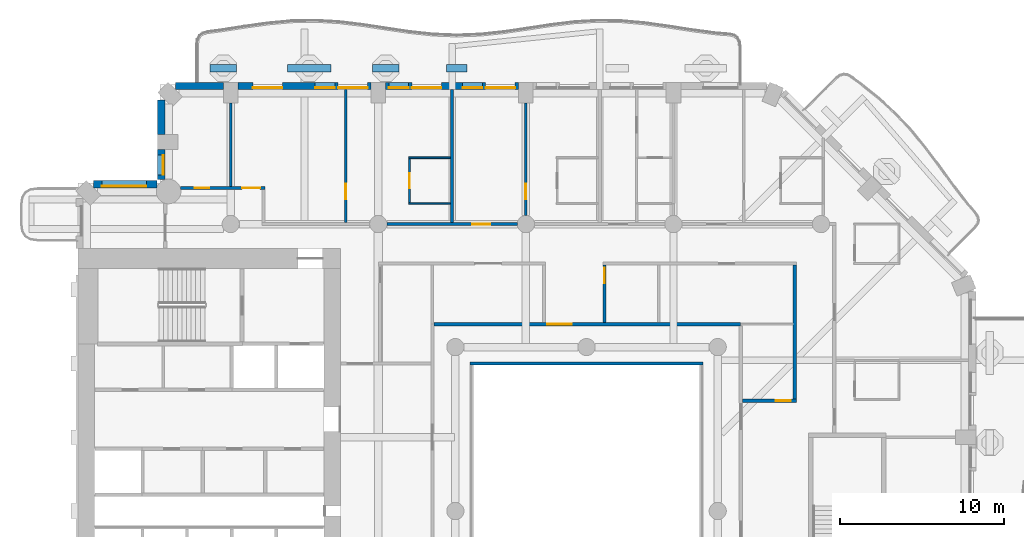
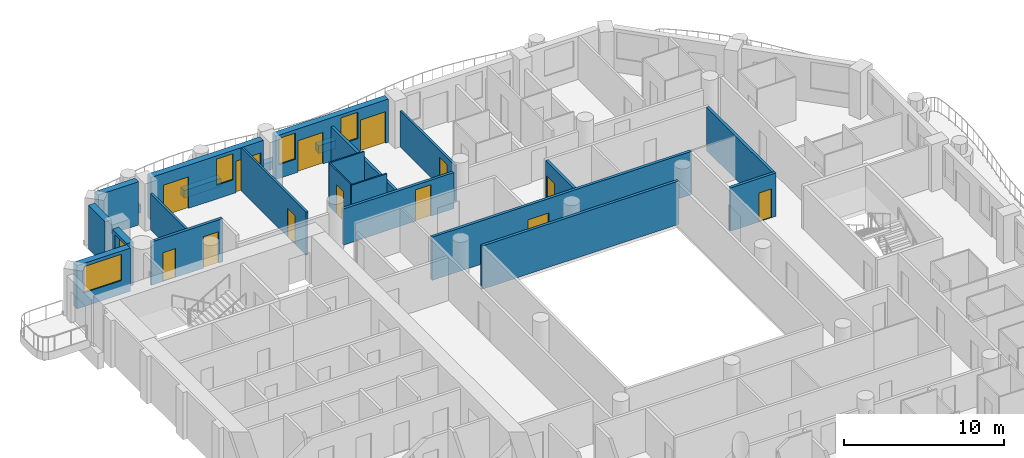
# One storey, part 8 of 20: 24 walls, 13 doors, 5 windows, 18 openings.
"""IFC4 building model written with IfcOpenShell, lengths in metres."""

from ifc_helpers import new_model, si_unit, direction, frame, frame_2d, origin, place, context, subcontext, project, spatial, rectangle, extrude, material, layer, layer_set, type_object, element, fill, save


model = new_model("IFC4")

# Units and contexts
model_context = context("Model", 3, precision=1e-05, world=origin(), true_north=direction((0.0, 1.0)))
body_context = subcontext(model_context, "Body", "Model", "MODEL_VIEW")
ifc_project = project(units=[si_unit("LENGTHUNIT", "METRE"), si_unit("AREAUNIT", "SQUARE_METRE"), si_unit("VOLUMEUNIT", "CUBIC_METRE"), si_unit("PLANEANGLEUNIT", "RADIAN"), si_unit("MASSUNIT", "GRAM", prefix="KILO")], contexts=[model_context])

# Site, building, storey
site_placement = place(None, origin())
site = spatial("IfcSite", under=ifc_project, at=site_placement, CompositionType="ELEMENT")
building_placement = place(site_placement, origin())
building = spatial("IfcBuilding", under=site, at=building_placement, Name="Cypress Arch Tower", CompositionType="ELEMENT")
storey_placement = place(building_placement, frame((0.0, 0.0, 131.10009765625)))
storey = spatial("IfcBuildingStorey", under=building, at=storey_placement, Name="L28", CompositionType="ELEMENT", Elevation=131.10009765625)

# Walls
ifc_material_1 = material(Name="Concrete C40/50, waterproofed", Category="concrete")
ifc_layer_1 = layer(ifc_material_1, 0.449951171875)
ifc_layer_set_1 = layer_set([ifc_layer_1], Name="Balcony planter wall PW450")
wall_type_1 = type_object("IfcWallType", Name="Balcony planter wall PW450", PredefinedType="SOLIDWALL", material=ifc_layer_set_1)
wall_1_placement = place(storey_placement, frame((-6.300048828125, 27.0, 0.0), z_axis=(0.0, 0.0, 1.0), x_axis=(-1.0, 0.0, 0.0)))
element("IfcWall", 1, at=wall_1_placement, inside=storey, type_object=wall_type_1, Name="Balcony planter wall L28-A08.3", PredefinedType="SOLIDWALL", context=body_context, shape_type="SweptSolid", body=[
    extrude(rectangle(XDim=1.25, YDim=0.449951171875, at=frame_2d((0.625, 0.0))), origin(), (0.0, 0.0, 1.0), 0.599853515625),
])
wall_2_placement = place(storey_placement, frame((-10.4375, 27.0, 0.0), z_axis=(0.0, 0.0, 1.0), x_axis=(-1.0, 0.0, 0.0)))
element("IfcWall", 2, at=wall_2_placement, inside=storey, type_object=wall_type_1, Name="Balcony planter wall L28-A08.4", PredefinedType="SOLIDWALL", context=body_context, shape_type="SweptSolid", body=[
    extrude(rectangle(XDim=1.612548828125, YDim=0.449951171875, at=frame_2d((0.80615234375, 0.0))), origin(), (0.0, 0.0, 1.0), 0.599853515625),
])
wall_3_placement = place(storey_placement, frame((-14.574951171875, 27.0, 0.0), z_axis=(0.0, 0.0, 1.0), x_axis=(-1.0, 0.0, 0.0)))
element("IfcWall", 3, at=wall_3_placement, inside=storey, type_object=wall_type_1, Name="Balcony planter wall L28-A08.5", PredefinedType="SOLIDWALL", context=body_context, shape_type="SweptSolid", body=[
    extrude(rectangle(XDim=2.675048828125, YDim=0.449951171875, at=frame_2d((1.33740234375, 0.0))), origin(), (0.0, 0.0, 1.0), 0.599853515625),
])
wall_4_placement = place(storey_placement, frame((-20.35009765625, 27.0, 0.0), z_axis=(0.0, 0.0, 1.0), x_axis=(-1.0, 0.0, 0.0)))
element("IfcWall", 4, at=wall_4_placement, inside=storey, type_object=wall_type_1, Name="Balcony planter wall L28-A08.6", PredefinedType="SOLIDWALL", context=body_context, shape_type="SweptSolid", body=[
    extrude(rectangle(XDim=1.599853515625, YDim=0.449951171875, at=frame_2d((0.7998046875, 0.0))), origin(), (0.0, 0.0, 1.0), 0.599853515625),
])

# Wall, openings, doors, windows
ifc_material_2 = material(Name="Brick (red buff blend)", Category="masonry")
ifc_layer_2 = layer(ifc_material_2, 0.449951171875)
ifc_layer_set_2 = layer_set([ifc_layer_2], Name="Brick pier and spandrel wall BW450")
wall_type_2 = type_object("IfcWallType", Name="Brick pier and spandrel wall BW450", PredefinedType="SOLIDWALL", material=ifc_layer_set_2)
wall_5_placement = place(storey_placement, frame((-3.14990234375, 25.925048828125, 0.0), z_axis=(0.0, 0.0, 1.0), x_axis=(-1.0, 0.0, 0.0)))
wall_5 = element("IfcWall", 5, at=wall_5_placement, inside=storey, type_object=wall_type_2, Name="Brick wall L28 A08.2", PredefinedType="SOLIDWALL", context=body_context, shape_type="SweptSolid", body=[
    extrude(rectangle(XDim=8.10009765625, YDim=0.449951171875, at=frame_2d((4.050048828125, 0.0))), origin(), (0.0, 0.0, 1.0), 3.2998046875),
])
opening_1_placement = place(wall_5_placement, frame((0.199951171875, 0.0, 0.0)))
opening_1 = element("IfcOpeningElement", 6, at=opening_1_placement, cuts=wall_5, Name="Opening D-L28-A08.2.1", PredefinedType="OPENING", context=body_context, shape_type="SweptSolid", body=[
    extrude(rectangle(XDim=1.800048828125, YDim=2.39990234375, at=frame_2d((0.89990234375, 1.199951171875))), frame((0.0, 0.23486328125, 0.0), z_axis=(0.0, -1.0, 0.0), x_axis=(1.0, 0.0, 0.0)), (0.0, 0.0, 1.0), 0.469970703125),
])
opening_2_placement = place(wall_5_placement, frame((2.199951171875, 0.0, 1.050048828125)))
opening_2 = element("IfcOpeningElement", 7, at=opening_2_placement, cuts=wall_5, Name="Opening W120HD", PredefinedType="OPENING", context=body_context, shape_type="SweptSolid", body=[
    extrude(rectangle(XDim=1.199951171875, YDim=2.0, at=frame_2d((0.60009765625, 1.0))), frame((0.0, 0.23486328125, 0.0), z_axis=(0.0, -1.0, 0.0), x_axis=(1.0, 0.0, 0.0)), (0.0, 0.0, 1.0), 0.469970703125),
])
opening_3_placement = place(wall_5_placement, frame((4.699951171875, 0.0, 0.0)))
opening_3 = element("IfcOpeningElement", 8, at=opening_3_placement, cuts=wall_5, Name="Opening D-L28-A08.2.2", PredefinedType="OPENING", context=body_context, shape_type="SweptSolid", body=[
    extrude(rectangle(XDim=1.800048828125, YDim=2.39990234375, at=frame_2d((0.89990234375, 1.199951171875))), frame((0.0, 0.23486328125, 0.0), z_axis=(0.0, -1.0, 0.0), x_axis=(1.0, 0.0, 0.0)), (0.0, 0.0, 1.0), 0.469970703125),
])
opening_4_placement = place(wall_5_placement, frame((6.699951171875, 0.0, 1.050048828125)))
opening_4 = element("IfcOpeningElement", 9, at=opening_4_placement, cuts=wall_5, Name="Opening W120HD", PredefinedType="OPENING", context=body_context, shape_type="SweptSolid", body=[
    extrude(rectangle(XDim=1.199951171875, YDim=2.0, at=frame_2d((0.60009765625, 1.0))), frame((0.0, 0.23486328125, 0.0), z_axis=(0.0, -1.0, 0.0), x_axis=(1.0, 0.0, 0.0)), (0.0, 0.0, 1.0), 0.469970703125),
])
ifc_material_3 = material(Name="Anodised aluminium, bronze finish, laminated low-emissivity double glazing, large-missile impact rated", Category="aluminium")
door_type_1 = type_object("IfcDoorType", Name="Balcony sliding door 1800x2400", OperationType="SLIDING_TO_LEFT", PredefinedType="DOOR", material=ifc_material_3)
door_1_placement = place(opening_1_placement, origin())
door_1 = element("IfcDoor", 10, at=door_1_placement, inside=storey, type_object=door_type_1, Name="Balcony door L28 A08.2.1", OperationType="SLIDING_TO_LEFT", OverallHeight=2.39990234375, OverallWidth=1.800048828125, PredefinedType="DOOR", context=body_context, shape_type="SweptSolid", body=[
    extrude(rectangle(XDim=1.800048828125, YDim=2.39990234375, at=frame_2d((0.89990234375, 1.199951171875))), frame((0.0, 0.1298828125, 0.0), z_axis=(0.0, -1.0, 0.0), x_axis=(1.0, 0.0, 0.0)), (0.0, 0.0, 1.0), 0.050048828125),
])
fill(opening_1, door_1)
door_2_placement = place(opening_3_placement, origin())
door_2 = element("IfcDoor", 11, at=door_2_placement, inside=storey, type_object=door_type_1, Name="Balcony door L28 A08.2.2", OperationType="SLIDING_TO_LEFT", OverallHeight=2.39990234375, OverallWidth=1.800048828125, PredefinedType="DOOR", context=body_context, shape_type="SweptSolid", body=[
    extrude(rectangle(XDim=1.800048828125, YDim=2.39990234375, at=frame_2d((0.89990234375, 1.199951171875))), frame((0.0, 0.1298828125, 0.0), z_axis=(0.0, -1.0, 0.0), x_axis=(1.0, 0.0, 0.0)), (0.0, 0.0, 1.0), 0.050048828125),
])
fill(opening_3, door_2)
ifc_material_4 = material(Name="Anodised aluminium, bronze finish, laminated low-emissivity double glazing, large-missile impact rated", Category="aluminium")
window_type_1 = type_object("IfcWindowType", Name="Window Hotel 1200x2000 debris-rated", PartitioningType="SINGLE_PANEL", PredefinedType="WINDOW", material=ifc_material_4)
window_1_placement = place(opening_2_placement, origin())
window_1 = element("IfcWindow", 12, at=window_1_placement, inside=storey, type_object=window_type_1, Name="Window L28 A08.2.1", OverallHeight=2.0, OverallWidth=1.199951171875, PartitioningType="SINGLE_PANEL", PredefinedType="WINDOW", context=body_context, shape_type="SweptSolid", body=[
    extrude(rectangle(XDim=1.199951171875, YDim=2.0, at=frame_2d((0.60009765625, 1.0))), frame((0.0, 0.135009765625, 0.0), z_axis=(0.0, -1.0, 0.0), x_axis=(1.0, 0.0, 0.0)), (0.0, 0.0, 1.0), 0.06005859375),
])
fill(opening_2, window_1)
window_2_placement = place(opening_4_placement, origin())
window_2 = element("IfcWindow", 13, at=window_2_placement, inside=storey, type_object=window_type_1, Name="Window L28 A08.2.2", OverallHeight=2.0, OverallWidth=1.199951171875, PartitioningType="SINGLE_PANEL", PredefinedType="WINDOW", context=body_context, shape_type="SweptSolid", body=[
    extrude(rectangle(XDim=1.199951171875, YDim=2.0, at=frame_2d((0.60009765625, 1.0))), frame((0.0, 0.135009765625, 0.0), z_axis=(0.0, -1.0, 0.0), x_axis=(1.0, 0.0, 0.0)), (0.0, 0.0, 1.0), 0.06005859375),
])
fill(opening_4, window_2)

# Wall, openings, doors, window
wall_6_placement = place(storey_placement, frame((-12.14990234375, 25.925048828125, 0.0), z_axis=(0.0, 0.0, 1.0), x_axis=(-1.0, 0.0, 0.0)))
wall_6 = element("IfcWall", 14, at=wall_6_placement, inside=storey, type_object=wall_type_2, Name="Brick wall L28 A08.3", PredefinedType="SOLIDWALL", context=body_context, shape_type="SweptSolid", body=[
    extrude(rectangle(XDim=8.10009765625, YDim=0.449951171875, at=frame_2d((4.050048828125, 0.0))), origin(), (0.0, 0.0, 1.0), 3.2998046875),
])
opening_5_placement = place(wall_6_placement, frame((0.199951171875, 0.0, 0.0)))
opening_5 = element("IfcOpeningElement", 15, at=opening_5_placement, cuts=wall_6, Name="Opening D-L28-A08.3.1", PredefinedType="OPENING", context=body_context, shape_type="SweptSolid", body=[
    extrude(rectangle(XDim=1.800048828125, YDim=2.39990234375, at=frame_2d((0.89990234375, 1.199951171875))), frame((0.0, 0.23486328125, 0.0), z_axis=(0.0, -1.0, 0.0), x_axis=(1.0, 0.0, 0.0)), (0.0, 0.0, 1.0), 0.469970703125),
])
opening_6_placement = place(wall_6_placement, frame((2.199951171875, 0.0, 1.050048828125)))
opening_6 = element("IfcOpeningElement", 16, at=opening_6_placement, cuts=wall_6, Name="Opening W120HD", PredefinedType="OPENING", context=body_context, shape_type="SweptSolid", body=[
    extrude(rectangle(XDim=1.199951171875, YDim=2.0, at=frame_2d((0.60009765625, 1.0))), frame((0.0, 0.23486328125, 0.0), z_axis=(0.0, -1.0, 0.0), x_axis=(1.0, 0.0, 0.0)), (0.0, 0.0, 1.0), 0.469970703125),
])
opening_7_placement = place(wall_6_placement, frame((5.39990234375, 0.0, 0.0)))
opening_7 = element("IfcOpeningElement", 17, at=opening_7_placement, cuts=wall_6, Name="Opening D-L28-A08.3.2", PredefinedType="OPENING", context=body_context, shape_type="SweptSolid", body=[
    extrude(rectangle(XDim=1.800048828125, YDim=2.39990234375, at=frame_2d((0.89990234375, 1.199951171875))), frame((0.0, 0.23486328125, 0.0), z_axis=(0.0, -1.0, 0.0), x_axis=(1.0, 0.0, 0.0)), (0.0, 0.0, 1.0), 0.469970703125),
])
door_3_placement = place(opening_5_placement, origin())
door_3 = element("IfcDoor", 18, at=door_3_placement, inside=storey, type_object=door_type_1, Name="Balcony door L28 A08.3.1", OperationType="SLIDING_TO_LEFT", OverallHeight=2.39990234375, OverallWidth=1.800048828125, PredefinedType="DOOR", context=body_context, shape_type="SweptSolid", body=[
    extrude(rectangle(XDim=1.800048828125, YDim=2.39990234375, at=frame_2d((0.89990234375, 1.199951171875))), frame((0.0, 0.1298828125, 0.0), z_axis=(0.0, -1.0, 0.0), x_axis=(1.0, 0.0, 0.0)), (0.0, 0.0, 1.0), 0.050048828125),
])
fill(opening_5, door_3)
door_4_placement = place(opening_7_placement, origin())
door_4 = element("IfcDoor", 19, at=door_4_placement, inside=storey, type_object=door_type_1, Name="Balcony door L28 A08.3.2", OperationType="SLIDING_TO_LEFT", OverallHeight=2.39990234375, OverallWidth=1.800048828125, PredefinedType="DOOR", context=body_context, shape_type="SweptSolid", body=[
    extrude(rectangle(XDim=1.800048828125, YDim=2.39990234375, at=frame_2d((0.89990234375, 1.199951171875))), frame((0.0, 0.1298828125, 0.0), z_axis=(0.0, -1.0, 0.0), x_axis=(1.0, 0.0, 0.0)), (0.0, 0.0, 1.0), 0.050048828125),
])
fill(opening_7, door_4)
window_3_placement = place(opening_6_placement, origin())
window_3 = element("IfcWindow", 20, at=window_3_placement, inside=storey, type_object=window_type_1, Name="Window L28 A08.3.1", OverallHeight=2.0, OverallWidth=1.199951171875, PartitioningType="SINGLE_PANEL", PredefinedType="WINDOW", context=body_context, shape_type="SweptSolid", body=[
    extrude(rectangle(XDim=1.199951171875, YDim=2.0, at=frame_2d((0.60009765625, 1.0))), frame((0.0, 0.135009765625, 0.0), z_axis=(0.0, -1.0, 0.0), x_axis=(1.0, 0.0, 0.0)), (0.0, 0.0, 1.0), 0.06005859375),
])
fill(opening_6, window_3)

# Walls
wall_7_placement = place(storey_placement, frame((-21.14990234375, 25.925048828125, 0.0), z_axis=(0.0, 0.0, 1.0), x_axis=(-1.0, 0.0, 0.0)))
element("IfcWall", 21, at=wall_7_placement, inside=storey, type_object=wall_type_2, Name="Brick wall L28 A08.4", PredefinedType="SOLIDWALL", context=body_context, shape_type="SweptSolid", body=[
    extrude(rectangle(XDim=2.913818359375, YDim=0.449951171875, at=frame_2d((1.45703125, 0.0))), origin(), (0.0, 0.0, 1.0), 3.2998046875),
])
wall_8_placement = place(storey_placement, frame((-24.925048828125, 25.063720703125, 0.0), z_axis=(0.0, 0.0, 1.0), x_axis=(0.0, -1.0, 0.0)))
element("IfcWall", 22, at=wall_8_placement, inside=storey, type_object=wall_type_2, Name="Brick wall L28 A09.0", PredefinedType="SOLIDWALL", context=body_context, shape_type="SweptSolid", body=[
    extrude(rectangle(XDim=2.11376953125, YDim=0.449951171875, at=frame_2d((1.056884765625, 0.0))), origin(), (0.0, 0.0, 1.0), 3.2998046875),
])

# Wall, opening, window
wall_9_placement = place(storey_placement, frame((-24.925048828125, 22.050048828125, 0.0), z_axis=(0.0, 0.0, 1.0), x_axis=(0.0, -1.0, 0.0)))
wall_9 = element("IfcWall", 23, at=wall_9_placement, inside=storey, type_object=wall_type_2, Name="Brick wall L28 A09.1", PredefinedType="SOLIDWALL", context=body_context, shape_type="SweptSolid", body=[
    extrude(rectangle(XDim=1.843017578125, YDim=0.449951171875, at=frame_2d((0.92138671875, 0.0))), origin(), (0.0, 0.0, 1.0), 3.2998046875),
])
opening_8_placement = place(wall_9_placement, frame((0.35009765625, 0.0, 1.050048828125)))
opening_8 = element("IfcOpeningElement", 24, at=opening_8_placement, cuts=wall_9, Name="Opening W120H", PredefinedType="OPENING", context=body_context, shape_type="SweptSolid", body=[
    extrude(rectangle(XDim=1.199951171875, YDim=2.0, at=frame_2d((0.60009765625, 1.0))), frame((0.0, 0.23486328125, 0.0), z_axis=(0.0, -1.0, 0.0), x_axis=(1.0, 0.0, 0.0)), (0.0, 0.0, 1.0), 0.469970703125),
])
ifc_material_5 = material(Name="Anodised aluminium, bronze finish, clear low-emissivity double glazing", Category="aluminium")
window_type_2 = type_object("IfcWindowType", Name="Window Hotel 1200x2000", PartitioningType="SINGLE_PANEL", PredefinedType="WINDOW", material=ifc_material_5)
window_4_placement = place(opening_8_placement, origin())
window_4 = element("IfcWindow", 25, at=window_4_placement, inside=storey, type_object=window_type_2, Name="Window L28 A09.1.1", OverallHeight=2.0, OverallWidth=1.199951171875, PartitioningType="SINGLE_PANEL", PredefinedType="WINDOW", context=body_context, shape_type="SweptSolid", body=[
    extrude(rectangle(XDim=1.199951171875, YDim=2.0, at=frame_2d((0.60009765625, 1.0))), frame((0.0, 0.135009765625, 0.0), z_axis=(0.0, -1.0, 0.0), x_axis=(1.0, 0.0, 0.0)), (0.0, 0.0, 1.0), 0.06005859375),
])
fill(opening_8, window_4)

wall_10_placement = place(storey_placement, frame((-25.20703125, 19.925048828125, 0.0), z_axis=(0.0, 0.0, 1.0), x_axis=(-1.0, 0.0, 0.0)))
wall_10 = element("IfcWall", 26, at=wall_10_placement, inside=storey, type_object=wall_type_2, Name="Brick wall L28 A10.0", PredefinedType="SOLIDWALL", context=body_context, shape_type="SweptSolid", body=[
    extrude(rectangle(XDim=3.856689453125, YDim=0.449951171875, at=frame_2d((1.92822265625, 0.0))), origin(), (0.0, 0.0, 1.0), 3.2998046875),
])
opening_9_placement = place(wall_10_placement, frame((0.64306640625, 0.0, 1.050048828125)))
opening_9 = element("IfcOpeningElement", 27, at=opening_9_placement, cuts=wall_10, Name="Opening W270H", PredefinedType="OPENING", context=body_context, shape_type="SweptSolid", body=[
    extrude(rectangle(XDim=2.699951171875, YDim=2.0, at=frame_2d((1.35009765625, 1.0))), frame((0.0, 0.23486328125, 0.0), z_axis=(0.0, -1.0, 0.0), x_axis=(1.0, 0.0, 0.0)), (0.0, 0.0, 1.0), 0.469970703125),
])
ifc_material_6 = material(Name="Anodised aluminium, bronze finish, clear low-emissivity double glazing", Category="aluminium")
window_type_3 = type_object("IfcWindowType", Name="Window Hotel 2700x2000", PartitioningType="SINGLE_PANEL", PredefinedType="WINDOW", material=ifc_material_6)
window_5_placement = place(opening_9_placement, origin())
window_5 = element("IfcWindow", 28, at=window_5_placement, inside=storey, type_object=window_type_3, Name="Window L28 A10.0.1", OverallHeight=2.0, OverallWidth=2.699951171875, PartitioningType="SINGLE_PANEL", PredefinedType="WINDOW", context=body_context, shape_type="SweptSolid", body=[
    extrude(rectangle(XDim=2.699951171875, YDim=2.0, at=frame_2d((1.35009765625, 1.0))), frame((0.0, 0.135009765625, 0.0), z_axis=(0.0, -1.0, 0.0), x_axis=(1.0, 0.0, 0.0)), (0.0, 0.0, 1.0), 0.06005859375),
])
fill(opening_9, window_5)

# Wall, openings, doors
ifc_material_7 = material(Name="Concrete blockwork, plastered, rated", Category="masonry")
ifc_layer_3 = layer(ifc_material_7, 0.199951171875)
ifc_layer_set_3 = layer_set([ifc_layer_3], Name="Corridor wall FW200")
wall_type_3 = type_object("IfcWallType", Name="Corridor wall FW200", PredefinedType="PARTITIONING", material=ifc_layer_set_3)
wall_11_placement = place(storey_placement, frame((-23.752197265625, 19.699951171875, 0.0), z_axis=(0.0, 0.0, 1.0), x_axis=(1.0, 0.0, 0.0)))
wall_11 = element("IfcWall", 29, at=wall_11_placement, inside=storey, type_object=wall_type_3, Name="Corridor wall", PredefinedType="PARTITIONING", context=body_context, shape_type="SweptSolid", body=[
    extrude(rectangle(XDim=5.152099609375, YDim=0.199951171875, at=frame_2d((2.576171875, 0.0))), origin(), (0.0, 0.0, 1.0), 3.2998046875),
])
opening_10_placement = place(wall_11_placement, frame((0.85009765625, 0.0, 0.0)))
opening_10 = element("IfcOpeningElement", 30, at=opening_10_placement, cuts=wall_11, Name="Opening D05", PredefinedType="OPENING", context=body_context, shape_type="SweptSolid", body=[
    extrude(rectangle(XDim=0.89990234375, YDim=2.199951171875, at=frame_2d((0.449951171875, 1.10009765625))), frame((0.0, 0.10986328125, 0.0), z_axis=(0.0, -1.0, 0.0), x_axis=(1.0, 0.0, 0.0)), (0.0, 0.0, 1.0), 0.219970703125),
])
opening_11_placement = place(wall_11_placement, frame((3.75, 0.0, 0.0)))
opening_11 = element("IfcOpeningElement", 31, at=opening_11_placement, cuts=wall_11, Name="Opening D01", PredefinedType="OPENING", context=body_context, shape_type="SweptSolid", body=[
    extrude(rectangle(XDim=1.10009765625, YDim=2.39990234375, at=frame_2d((0.550048828125, 1.199951171875))), frame((0.0, 0.10986328125, 0.0), z_axis=(0.0, -1.0, 0.0), x_axis=(1.0, 0.0, 0.0)), (0.0, 0.0, 1.0), 0.219970703125),
])
ifc_material_8 = material(Name="Timber flush door", Category="wood")
door_type_2 = type_object("IfcDoorType", Name="Service door D05 900x2200", OperationType="SINGLE_SWING_LEFT", PredefinedType="DOOR", material=ifc_material_8)
door_5_placement = place(opening_10_placement, origin())
door_5 = element("IfcDoor", 32, at=door_5_placement, inside=storey, type_object=door_type_2, Name="Service door", OperationType="SINGLE_SWING_LEFT", OverallHeight=2.199951171875, OverallWidth=0.89990234375, PredefinedType="DOOR", context=body_context, shape_type="SweptSolid", body=[
    extrude(rectangle(XDim=0.89990234375, YDim=2.199951171875, at=frame_2d((0.449951171875, 1.10009765625))), frame((0.0, 0.02490234375, 0.0), z_axis=(0.0, -1.0, 0.0), x_axis=(1.0, 0.0, 0.0)), (0.0, 0.0, 1.0), 0.050048828125),
])
fill(opening_10, door_5)
ifc_material_9 = material(Name="Timber flush door, fire resisting, self-closing", Category="wood")
door_type_3 = type_object("IfcDoorType", Name="Unit entrance door D01 1100x2400", OperationType="SINGLE_SWING_LEFT", PredefinedType="DOOR", material=ifc_material_9)
door_6_placement = place(opening_11_placement, origin())
door_6 = element("IfcDoor", 33, at=door_6_placement, inside=storey, type_object=door_type_3, Name="Unit entrance door", OperationType="SINGLE_SWING_LEFT", OverallHeight=2.39990234375, OverallWidth=1.10009765625, PredefinedType="DOOR", context=body_context, shape_type="SweptSolid", body=[
    extrude(rectangle(XDim=1.10009765625, YDim=2.39990234375, at=frame_2d((0.550048828125, 1.199951171875))), frame((0.0, 0.02490234375, 0.0), z_axis=(0.0, -1.0, 0.0), x_axis=(1.0, 0.0, 0.0)), (0.0, 0.0, 1.0), 0.050048828125),
])
fill(opening_11, door_6)

# Wall, opening, door
wall_12_placement = place(storey_placement, frame((-11.175048828125, 17.5, 0.0), z_axis=(0.0, 0.0, 1.0), x_axis=(1.0, 0.0, 0.0)))
wall_12 = element("IfcWall", 34, at=wall_12_placement, inside=storey, type_object=wall_type_3, Name="Corridor wall", PredefinedType="PARTITIONING", context=body_context, shape_type="SweptSolid", body=[
    extrude(rectangle(XDim=7.949951171875, YDim=0.199951171875, at=frame_2d((3.97509765625, 0.0))), origin(), (0.0, 0.0, 1.0), 2.75),
])
opening_12_placement = place(wall_12_placement, frame((5.199951171875, 0.0, 0.0)))
opening_12 = element("IfcOpeningElement", 35, at=opening_12_placement, cuts=wall_12, Name="Opening D01", PredefinedType="OPENING", context=body_context, shape_type="SweptSolid", body=[
    extrude(rectangle(XDim=1.10009765625, YDim=2.39990234375, at=frame_2d((0.550048828125, 1.199951171875))), frame((0.0, 0.10986328125, 0.0), z_axis=(0.0, -1.0, 0.0), x_axis=(1.0, 0.0, 0.0)), (0.0, 0.0, 1.0), 0.219970703125),
])
door_7_placement = place(opening_12_placement, origin())
door_7 = element("IfcDoor", 36, at=door_7_placement, inside=storey, type_object=door_type_3, Name="Unit entrance door", OperationType="SINGLE_SWING_LEFT", OverallHeight=2.39990234375, OverallWidth=1.10009765625, PredefinedType="DOOR", context=body_context, shape_type="SweptSolid", body=[
    extrude(rectangle(XDim=1.10009765625, YDim=2.39990234375, at=frame_2d((0.550048828125, 1.199951171875))), frame((0.0, 0.02490234375, 0.0), z_axis=(0.0, -1.0, 0.0), x_axis=(1.0, 0.0, 0.0)), (0.0, 0.0, 1.0), 0.050048828125),
])
fill(opening_12, door_7)

wall_13_placement = place(storey_placement, frame((-8.300048828125, 11.39990234375, 0.0), z_axis=(0.0, 0.0, 1.0), x_axis=(1.0, 0.0, 0.0)))
wall_13 = element("IfcWall", 37, at=wall_13_placement, inside=storey, type_object=wall_type_3, Name="Corridor wall", PredefinedType="PARTITIONING", context=body_context, shape_type="SweptSolid", body=[
    extrude(rectangle(XDim=18.699951171875, YDim=0.199951171875, at=frame_2d((9.35009765625, 0.0))), origin(), (0.0, 0.0, 1.0), 3.2998046875),
])
opening_13_placement = place(wall_13_placement, frame((6.89990234375, 0.0, 0.0)))
opening_13 = element("IfcOpeningElement", 38, at=opening_13_placement, cuts=wall_13, Name="Opening D04", PredefinedType="OPENING", context=body_context, shape_type="SweptSolid", body=[
    extrude(rectangle(XDim=1.5, YDim=2.199951171875, at=frame_2d((0.75, 1.10009765625))), frame((0.0, 0.10986328125, 0.0), z_axis=(0.0, -1.0, 0.0), x_axis=(1.0, 0.0, 0.0)), (0.0, 0.0, 1.0), 0.219970703125),
])
ifc_material_10 = material(Name="Timber double door", Category="wood")
door_type_4 = type_object("IfcDoorType", Name="Double door D04 1500x2200", OperationType="DOUBLE_DOOR_SINGLE_SWING", PredefinedType="DOOR", material=ifc_material_10)
door_8_placement = place(opening_13_placement, origin())
door_8 = element("IfcDoor", 39, at=door_8_placement, inside=storey, type_object=door_type_4, Name="Double door", OperationType="DOUBLE_DOOR_SINGLE_SWING", OverallHeight=2.199951171875, OverallWidth=1.5, PredefinedType="DOOR", context=body_context, shape_type="SweptSolid", body=[
    extrude(rectangle(XDim=1.5, YDim=2.199951171875, at=frame_2d((0.75, 1.10009765625))), frame((0.0, 0.02490234375, 0.0), z_axis=(0.0, -1.0, 0.0), x_axis=(1.0, 0.0, 0.0)), (0.0, 0.0, 1.0), 0.050048828125),
])
fill(opening_13, door_8)

# Wall
wall_14_placement = place(storey_placement, frame((-6.10009765625, 9.0, 0.0), z_axis=(0.0, 0.0, 1.0), x_axis=(1.0, 0.0, 0.0)))
element("IfcWall", 40, at=wall_14_placement, inside=storey, type_object=wall_type_3, Name="Corridor wall", PredefinedType="PARTITIONING", context=body_context, shape_type="SweptSolid", body=[
    extrude(rectangle(XDim=14.2001953125, YDim=0.199951171875, at=frame_2d((7.10009765625, 0.0))), origin(), (0.0, 0.0, 1.0), 3.2998046875),
])

# Wall, opening, door
wall_15_placement = place(storey_placement, frame((2.10009765625, 11.5, 0.0), z_axis=(0.0, 0.0, 1.0), x_axis=(0.0, 1.0, 0.0)))
wall_15 = element("IfcWall", 41, at=wall_15_placement, inside=storey, type_object=wall_type_3, Name="Corridor wall", PredefinedType="PARTITIONING", context=body_context, shape_type="SweptSolid", body=[
    extrude(rectangle(XDim=3.5, YDim=0.199951171875, at=frame_2d((1.75, 0.0))), origin(), (0.0, 0.0, 1.0), 3.2998046875),
])
opening_14_placement = place(wall_15_placement, frame((2.39990234375, 0.0, 0.0)))
opening_14 = element("IfcOpeningElement", 42, at=opening_14_placement, cuts=wall_15, Name="Opening D02", PredefinedType="OPENING", context=body_context, shape_type="SweptSolid", body=[
    extrude(rectangle(XDim=0.949951171875, YDim=2.199951171875, at=frame_2d((0.47509765625, 1.10009765625))), frame((0.0, 0.10986328125, 0.0), z_axis=(0.0, -1.0, 0.0), x_axis=(1.0, 0.0, 0.0)), (0.0, 0.0, 1.0), 0.219970703125),
])
ifc_material_11 = material(Name="Timber flush door, fire resisting", Category="wood")
door_type_5 = type_object("IfcDoorType", Name="Room door D02 950x2200", OperationType="SINGLE_SWING_LEFT", PredefinedType="DOOR", material=ifc_material_11)
door_9_placement = place(opening_14_placement, origin())
door_9 = element("IfcDoor", 43, at=door_9_placement, inside=storey, type_object=door_type_5, Name="Room door", OperationType="SINGLE_SWING_LEFT", OverallHeight=2.199951171875, OverallWidth=0.949951171875, PredefinedType="DOOR", context=body_context, shape_type="SweptSolid", body=[
    extrude(rectangle(XDim=0.949951171875, YDim=2.199951171875, at=frame_2d((0.47509765625, 1.10009765625))), frame((0.0, 0.02490234375, 0.0), z_axis=(0.0, -1.0, 0.0), x_axis=(1.0, 0.0, 0.0)), (0.0, 0.0, 1.0), 0.050048828125),
])
fill(opening_14, door_9)

wall_16_placement = place(storey_placement, frame((10.5, 6.72509765625, 0.0), z_axis=(0.0, 0.0, 1.0), x_axis=(1.0, 0.0, 0.0)))
wall_16 = element("IfcWall", 44, at=wall_16_placement, inside=storey, type_object=wall_type_3, Name="Corridor wall", PredefinedType="PARTITIONING", context=body_context, shape_type="SweptSolid", body=[
    extrude(rectangle(XDim=3.300048828125, YDim=0.199951171875, at=frame_2d((1.64990234375, 0.0))), origin(), (0.0, 0.0, 1.0), 3.2998046875),
])
opening_15_placement = place(wall_16_placement, frame((2.050048828125, 0.0, 0.0)))
opening_15 = element("IfcOpeningElement", 45, at=opening_15_placement, cuts=wall_16, Name="Opening D03", PredefinedType="OPENING", context=body_context, shape_type="SweptSolid", body=[
    extrude(rectangle(XDim=0.89990234375, YDim=2.199951171875, at=frame_2d((0.449951171875, 1.10009765625))), frame((0.0, 0.10986328125, 0.0), z_axis=(0.0, -1.0, 0.0), x_axis=(1.0, 0.0, 0.0)), (0.0, 0.0, 1.0), 0.219970703125),
])
ifc_material_12 = material(Name="Timber flush door, moisture resistant", Category="wood")
door_type_6 = type_object("IfcDoorType", Name="Bathroom door D03 900x2200", OperationType="SINGLE_SWING_LEFT", PredefinedType="DOOR", material=ifc_material_12)
door_10_placement = place(opening_15_placement, origin())
door_10 = element("IfcDoor", 46, at=door_10_placement, inside=storey, type_object=door_type_6, Name="Bathroom door", OperationType="SINGLE_SWING_RIGHT", OverallHeight=2.199951171875, OverallWidth=0.89990234375, PredefinedType="DOOR", context=body_context, shape_type="SweptSolid", body=[
    extrude(rectangle(XDim=0.89990234375, YDim=2.199951171875, at=frame_2d((0.449951171875, 1.10009765625))), frame((0.0, 0.02490234375, 0.0), z_axis=(0.0, -1.0, 0.0), x_axis=(1.0, 0.0, 0.0)), (0.0, 0.0, 1.0), 0.050048828125),
])
fill(opening_15, door_10)

# Walls
wall_17_placement = place(storey_placement, frame((13.699951171875, 6.824951171875, 0.0), z_axis=(0.0, 0.0, 1.0), x_axis=(0.0, 1.0, 0.0)))
element("IfcWall", 47, at=wall_17_placement, inside=storey, type_object=wall_type_3, Name="Corridor wall", PredefinedType="PARTITIONING", context=body_context, shape_type="SweptSolid", body=[
    extrude(rectangle(XDim=8.175048828125, YDim=0.199951171875, at=frame_2d((4.08740234375, 0.0))), origin(), (0.0, 0.0, 1.0), 3.2998046875),
])
ifc_material_13 = material(Name="Blockwork, plastered both sides", Category="masonry")
ifc_layer_4 = layer(ifc_material_13, 0.14990234375)
ifc_layer_set_4 = layer_set([ifc_layer_4], Name="Partition PW150")
wall_type_4 = type_object("IfcWallType", Name="Partition PW150", PredefinedType="PARTITIONING", material=ifc_layer_set_4)
wall_18_placement = place(storey_placement, frame((-20.699951171875, 19.800048828125, 0.0), z_axis=(0.0, 0.0, 1.0), x_axis=(0.0, 1.0, 0.0)))
element("IfcWall", 48, at=wall_18_placement, inside=storey, type_object=wall_type_4, Name="Partition", PredefinedType="PARTITIONING", context=body_context, shape_type="SweptSolid", body=[
    extrude(rectangle(XDim=5.099853515625, YDim=0.14990234375, at=frame_2d((2.5498046875, 0.0))), origin(), (0.0, 0.0, 1.0), 2.75),
])

# Wall, opening, door
wall_19_placement = place(storey_placement, frame((-13.680908203125, 17.60009765625, 0.0), z_axis=(0.0, 0.0, 1.0), x_axis=(0.0, 1.0, 0.0)))
wall_19 = element("IfcWall", 49, at=wall_19_placement, inside=storey, type_object=wall_type_4, Name="Partition", PredefinedType="PARTITIONING", context=body_context, shape_type="SweptSolid", body=[
    extrude(rectangle(XDim=8.099853515625, YDim=0.14990234375, at=frame_2d((4.0498046875, 0.0))), origin(), (0.0, 0.0, 1.0), 3.2998046875),
])
opening_16_placement = place(wall_19_placement, frame((1.39990234375, 0.0, 0.0)))
opening_16 = element("IfcOpeningElement", 50, at=opening_16_placement, cuts=wall_19, Name="Opening D12", PredefinedType="OPENING", context=body_context, shape_type="SweptSolid", body=[
    extrude(rectangle(XDim=0.949951171875, YDim=2.199951171875, at=frame_2d((0.47509765625, 1.10009765625))), frame((0.0, 0.0849609375, 0.0), z_axis=(0.0, -1.0, 0.0), x_axis=(1.0, 0.0, 0.0)), (0.0, 0.0, 1.0), 0.169921875),
])
ifc_material_14 = material(Name="Timber flush door", Category="wood")
door_type_7 = type_object("IfcDoorType", Name="Room door D12 950x2200", OperationType="SINGLE_SWING_LEFT", PredefinedType="DOOR", material=ifc_material_14)
door_11_placement = place(opening_16_placement, origin())
door_11 = element("IfcDoor", 51, at=door_11_placement, inside=storey, type_object=door_type_7, Name="Room door", OperationType="SINGLE_SWING_LEFT", OverallHeight=2.199951171875, OverallWidth=0.949951171875, PredefinedType="DOOR", context=body_context, shape_type="SweptSolid", body=[
    extrude(rectangle(XDim=0.949951171875, YDim=2.199951171875, at=frame_2d((0.47509765625, 1.10009765625))), frame((0.0, 0.02490234375, 0.0), z_axis=(0.0, -1.0, 0.0), x_axis=(1.0, 0.0, 0.0)), (0.0, 0.0, 1.0), 0.050048828125),
])
fill(opening_16, door_11)

wall_20_placement = place(storey_placement, frame((-2.699951171875, 18.02490234375, 0.0), z_axis=(0.0, 0.0, 1.0), x_axis=(0.0, 1.0, 0.0)))
wall_20 = element("IfcWall", 52, at=wall_20_placement, inside=storey, type_object=wall_type_4, Name="Partition", PredefinedType="PARTITIONING", context=body_context, shape_type="SweptSolid", body=[
    extrude(rectangle(XDim=6.875, YDim=0.14990234375, at=frame_2d((3.4375, 0.0))), origin(), (0.0, 0.0, 1.0), 2.75),
])
opening_17_placement = place(wall_20_placement, frame((1.0, 0.0, 0.0)))
opening_17 = element("IfcOpeningElement", 53, at=opening_17_placement, cuts=wall_20, Name="Opening D12", PredefinedType="OPENING", context=body_context, shape_type="SweptSolid", body=[
    extrude(rectangle(XDim=0.949951171875, YDim=2.199951171875, at=frame_2d((0.47509765625, 1.10009765625))), frame((0.0, 0.0849609375, 0.0), z_axis=(0.0, -1.0, 0.0), x_axis=(1.0, 0.0, 0.0)), (0.0, 0.0, 1.0), 0.169921875),
])
door_12_placement = place(opening_17_placement, origin())
door_12 = element("IfcDoor", 54, at=door_12_placement, inside=storey, type_object=door_type_7, Name="Room door", OperationType="SINGLE_SWING_LEFT", OverallHeight=2.199951171875, OverallWidth=0.949951171875, PredefinedType="DOOR", context=body_context, shape_type="SweptSolid", body=[
    extrude(rectangle(XDim=0.949951171875, YDim=2.199951171875, at=frame_2d((0.47509765625, 1.10009765625))), frame((0.0, 0.02490234375, 0.0), z_axis=(0.0, -1.0, 0.0), x_axis=(1.0, 0.0, 0.0)), (0.0, 0.0, 1.0), 0.050048828125),
])
fill(opening_17, door_12)

# Wall
ifc_material_15 = material(Name="Dense blockwork, plastered both sides, acoustic and rated", Category="masonry")
ifc_layer_5 = layer(ifc_material_15, 0.199951171875)
ifc_layer_set_5 = layer_set([ifc_layer_5], Name="Party wall PW200")
wall_type_5 = type_object("IfcWallType", Name="Party wall PW200", PredefinedType="PARTITIONING", material=ifc_layer_set_5)
wall_21_placement = place(storey_placement, frame((-7.199951171875, 17.60009765625, 0.0), z_axis=(0.0, 0.0, 1.0), x_axis=(0.0, 1.0, 0.0)))
element("IfcWall", 55, at=wall_21_placement, inside=storey, type_object=wall_type_5, Name="Party wall", PredefinedType="PARTITIONING", context=body_context, shape_type="SweptSolid", body=[
    extrude(rectangle(XDim=8.099853515625, YDim=0.199951171875, at=frame_2d((4.0498046875, 0.0))), origin(), (0.0, 0.0, 1.0), 2.64990234375),
])

# Wall, opening, door
ifc_material_16 = material(Name="Moisture resistant board on steel studs, tiled", Category="steel")
ifc_layer_6 = layer(ifc_material_16, 0.10009765625)
ifc_layer_set_6 = layer_set([ifc_layer_6], Name="Wet wall PW100")
wall_type_6 = type_object("IfcWallType", Name="Wet wall PW100", PredefinedType="PARTITIONING", material=ifc_layer_set_6)
wall_22_placement = place(storey_placement, frame((-9.7958984375, 18.800048828125, 0.0), z_axis=(0.0, 0.0, 1.0), x_axis=(0.0, 1.0, 0.0)))
wall_22 = element("IfcWall", 56, at=wall_22_placement, inside=storey, type_object=wall_type_6, Name="Wet wall", PredefinedType="PARTITIONING", context=body_context, shape_type="SweptSolid", body=[
    extrude(rectangle(XDim=2.699951171875, YDim=0.10009765625, at=frame_2d((1.35009765625, 0.0))), origin(), (0.0, 0.0, 1.0), 3.2998046875),
])
opening_18_placement = place(wall_22_placement, frame((0.89990234375, 0.0, 0.0)))
opening_18 = element("IfcOpeningElement", 57, at=opening_18_placement, cuts=wall_22, Name="Opening D03", PredefinedType="OPENING", context=body_context, shape_type="SweptSolid", body=[
    extrude(rectangle(XDim=0.89990234375, YDim=2.199951171875, at=frame_2d((0.449951171875, 1.10009765625))), frame((0.0, 0.06005859375, 0.0), z_axis=(0.0, -1.0, 0.0), x_axis=(1.0, 0.0, 0.0)), (0.0, 0.0, 1.0), 0.1201171875),
])
door_13_placement = place(opening_18_placement, origin())
door_13 = element("IfcDoor", 58, at=door_13_placement, inside=storey, type_object=door_type_6, Name="Bathroom door", OperationType="SINGLE_SWING_LEFT", OverallHeight=2.199951171875, OverallWidth=0.89990234375, PredefinedType="DOOR", context=body_context, shape_type="SweptSolid", body=[
    extrude(rectangle(XDim=0.89990234375, YDim=2.199951171875, at=frame_2d((0.449951171875, 1.10009765625))), frame((0.0, 0.02490234375, 0.0), z_axis=(0.0, -1.0, 0.0), x_axis=(1.0, 0.0, 0.0)), (0.0, 0.0, 1.0), 0.050048828125),
])
fill(opening_18, door_13)

# Walls
for number, where, z_axis, x_axis, name in (
    (59, (-9.845947265625, 18.75, 0.0), (0.0, 0.0, 1.0), (1.0, 0.0, 0.0), "Wet wall"),
    (60, (-9.845947265625, 21.550048828125, 0.0), (0.0, 0.0, 1.0), (1.0, 0.0, 0.0), "Wet wall"),
):
    element("IfcWall", number, at=place(storey_placement, frame(where, z_axis=z_axis, x_axis=x_axis)), inside=storey, type_object=wall_type_6, Name=name, PredefinedType="PARTITIONING", context=body_context, shape_type="SweptSolid", body=[
        extrude(rectangle(XDim=2.5458984375, YDim=0.10009765625, at=frame_2d((1.27294921875, 0.0))), origin(), (0.0, 0.0, 1.0), 3.2998046875),
    ])

save(model, "model.ifc")
